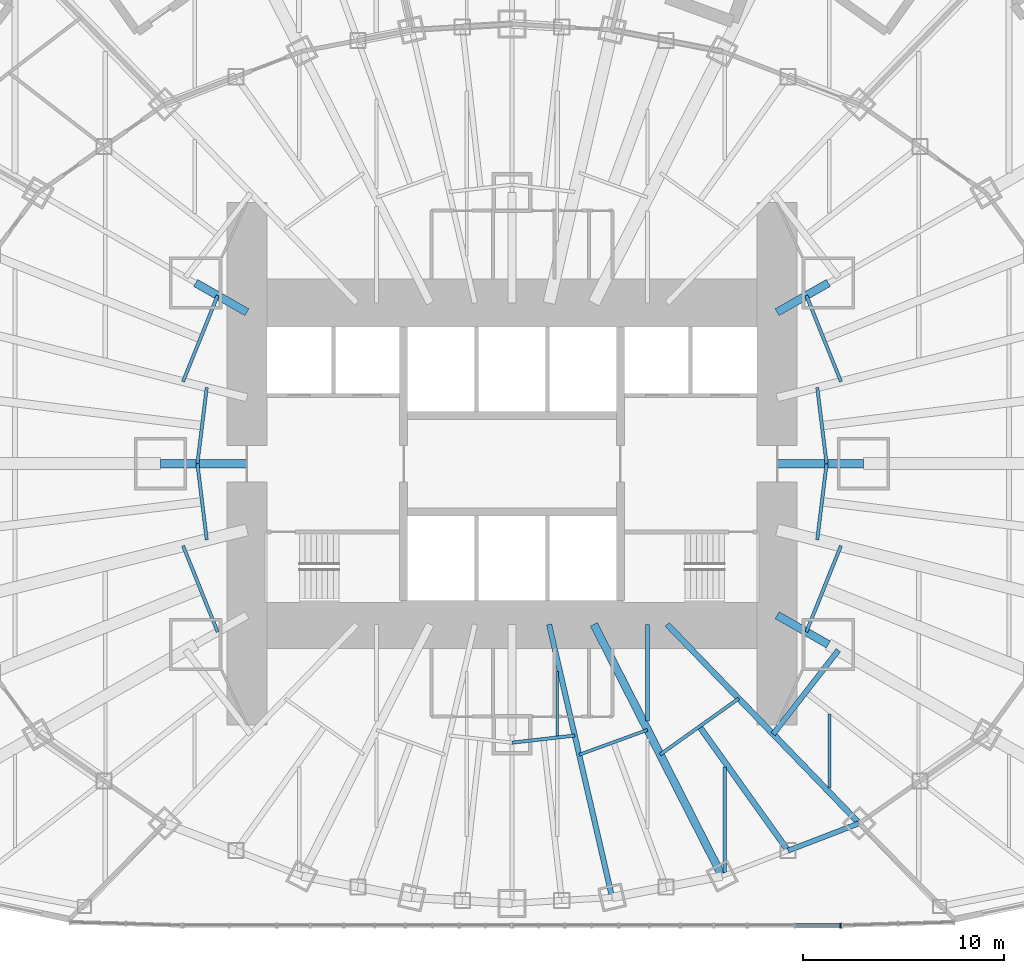
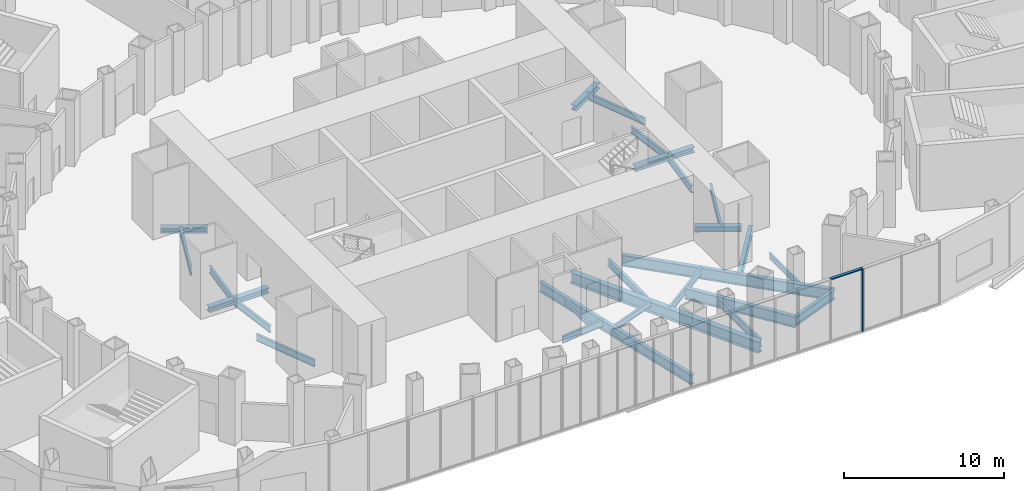
# One storey, part 5 of 73: 26 beams, 2 members, 1 element without a shape of its own.
"""IFC4 building model written with IfcOpenShell, lengths in metres."""

from ifc_helpers import new_model, si_unit, direction, frame, origin, origin_2d, place, context, subcontext, project, spatial, rectangle, i_section, extrude, material, material_profile, profile_set, type_object, element, aggregate, save


model = new_model("IFC4")

# Units and contexts
model_context = context("Model", 3, precision=1e-05, world=origin(), true_north=direction((0.0, 1.0)))
body_context = subcontext(model_context, "Body", "Model", "MODEL_VIEW")
ifc_project = project(units=[si_unit("LENGTHUNIT", "METRE"), si_unit("AREAUNIT", "SQUARE_METRE"), si_unit("VOLUMEUNIT", "CUBIC_METRE"), si_unit("PLANEANGLEUNIT", "RADIAN"), si_unit("MASSUNIT", "GRAM", prefix="KILO")], contexts=[model_context])

# Site, building, storey
site_placement = place(None, origin())
site = spatial("IfcSite", under=ifc_project, at=site_placement, CompositionType="ELEMENT")
building_placement = place(site_placement, origin())
building = spatial("IfcBuilding", under=site, at=building_placement, Name="Lantaw Convention Tower", CompositionType="ELEMENT")
storey_placement = place(building_placement, frame((0.0, 0.0, 27.0)))
storey = spatial("IfcBuildingStorey", under=building, at=storey_placement, Name="L04", CompositionType="ELEMENT", Elevation=27.0)

# Beams
ifc_material_1 = material(Name="Steel ASTM A992", Category="steel")
ifc_material_profile_1 = material_profile(ifc_material_1, i_section(OverallWidth=0.256591796875, OverallDepth=0.693359375, WebThickness=0.014404296875, FlangeThickness=0.023681640625, FilletRadius=0.01513671875, at=origin_2d()), Name="W27X114")
ifc_profile_set_1 = profile_set([ifc_material_profile_1], Name="Steel ASTM A992")
beam_type_1 = type_object("IfcBeamType", Name="Beam E W27X114", PredefinedType="SPANDREL", material=ifc_profile_set_1)
beam_1_placement = place(storey_placement, frame((13.745361328125, -19.270263671875, -0.546630859375), z_axis=(0.933224646415, 0.359293416754, 0.0), x_axis=(-0.359293416754, 0.933224646415, 0.0)))
element("IfcBeam", 1, at=beam_1_placement, inside=storey, type_object=beam_type_1, Name="Edge beam 21", PredefinedType="SPANDREL", context=body_context, shape_type="SweptSolid", body=[
    extrude(i_section(OverallWidth=0.256591796875, OverallDepth=0.693359375, WebThickness=0.014404296875, FlangeThickness=0.023681640625, FilletRadius=0.01513671875, at=origin_2d()), origin(), (0.0, 0.0, 1.0), 3.799072265625),
])
ifc_material_profile_2 = material_profile(ifc_material_1, i_section(OverallWidth=0.2666015625, OverallDepth=0.76953125, WebThickness=0.015625, FlangeThickness=0.025390625, FilletRadius=0.0126953125, at=origin_2d()), Name="W30X132")
ifc_profile_set_2 = profile_set([ifc_material_profile_2], Name="Steel ASTM A992")
beam_type_2 = type_object("IfcBeamType", Name="Beam G W30X132", PredefinedType="BEAM", material=ifc_profile_set_2)
beam_2_placement = place(storey_placement, frame((1.846923828125, -8.0, -0.584716796875), z_axis=(0.224952773175, -0.97436966796, 0.0), x_axis=(0.97436966796, 0.224952773175, 0.0)))
element("IfcBeam", 2, at=beam_2_placement, inside=storey, type_object=beam_type_2, Name="Floor girder on ray 20", PredefinedType="BEAM", context=body_context, shape_type="SweptSolid", body=[
    extrude(i_section(OverallWidth=0.2666015625, OverallDepth=0.76953125, WebThickness=0.015625, FlangeThickness=0.025390625, FilletRadius=0.0126953125, at=origin_2d()), origin(), (0.0, 0.0, 1.0), 13.955810546875),
])
ifc_material_profile_3 = material_profile(ifc_material_1, i_section(OverallWidth=0.2919921875, OverallDepth=0.845703125, WebThickness=0.015380859375, FlangeThickness=0.0244140625, FilletRadius=0.01513671875, at=origin_2d()), Name="W33X141")
ifc_profile_set_3 = profile_set([ifc_material_profile_3], Name="Steel ASTM A992")
beam_type_3 = type_object("IfcBeamType", Name="Beam G W33X141", PredefinedType="BEAM", material=ifc_profile_set_3)
beam_3_placement = place(storey_placement, frame((9.335693359375, -13.088134765625, -0.622802734375), z_axis=(0.580702805158, -0.814115625745, 0.0), x_axis=(0.814115625745, 0.580702805158, 0.0)))
element("IfcBeam", 3, at=beam_3_placement, inside=storey, type_object=beam_type_3, Name="Floor girder on bisector 21", PredefinedType="BEAM", context=body_context, shape_type="SweptSolid", body=[
    extrude(i_section(OverallWidth=0.2919921875, OverallDepth=0.845703125, WebThickness=0.015380859375, FlangeThickness=0.0244140625, FilletRadius=0.01513671875, at=origin_2d()), origin(), (0.0, 0.0, 1.0), 7.59375),
])
beam_4_placement = place(storey_placement, frame((7.7255859375, -8.0, -0.622802734375), z_axis=(0.694649884291, -0.719347995239, 0.0), x_axis=(0.719347995239, 0.694649884291, 0.0)))
element("IfcBeam", 4, at=beam_4_placement, inside=storey, type_object=beam_type_3, Name="Floor girder on ray 22", PredefinedType="BEAM", context=body_context, shape_type="SweptSolid", body=[
    extrude(i_section(OverallWidth=0.2919921875, OverallDepth=0.845703125, WebThickness=0.015380859375, FlangeThickness=0.0244140625, FilletRadius=0.01513671875, at=origin_2d()), origin(), (0.0, 0.0, 1.0), 13.769775390625),
])
ifc_material_profile_4 = material_profile(ifc_material_1, i_section(OverallWidth=0.398681640625, OverallDepth=0.85595703125, WebThickness=0.01806640625, FlangeThickness=0.029296875, FilletRadius=0.016357421875, at=origin_2d()), Name="W33X201")
ifc_profile_set_4 = profile_set([ifc_material_profile_4], Name="Steel ASTM A992")
beam_type_4 = type_object("IfcBeamType", Name="Beam G W33X201", PredefinedType="BEAM", material=ifc_profile_set_4)
beam_5_placement = place(storey_placement, frame((4.076171875, -8.0, -0.6279296875), z_axis=(0.453997016122, -0.891003203896, 0.0), x_axis=(0.891003203896, 0.453997016122, 0.0)))
element("IfcBeam", 5, at=beam_5_placement, inside=storey, type_object=beam_type_4, Name="Floor girder on ray 21", PredefinedType="BEAM", context=body_context, shape_type="SweptSolid", body=[
    extrude(i_section(OverallWidth=0.398681640625, OverallDepth=0.85595703125, WebThickness=0.01806640625, FlangeThickness=0.029296875, FilletRadius=0.016357421875, at=origin_2d()), origin(), (0.0, 0.0, 1.0), 14.067138671875),
])
ifc_material_profile_5 = material_profile(ifc_material_1, i_section(OverallWidth=0.40380859375, OverallDepth=0.406494140625, WebThickness=0.027099609375, FlangeThickness=0.043701171875, FilletRadius=0.01513671875, at=origin_2d()), Name="W14X233")
ifc_profile_set_5 = profile_set([ifc_material_profile_5], Name="Steel ASTM A992")
beam_type_5 = type_object("IfcBeamType", Name="Beam GM W14X233", PredefinedType="BEAM", material=ifc_profile_set_5)
beam_6_placement = place(storey_placement, frame((13.199951171875, 0.0, -0.4033203125), z_axis=(1.0, 0.0, 0.0), x_axis=(0.0, 1.0, 0.0)))
element("IfcBeam", 6, at=beam_6_placement, inside=storey, type_object=beam_type_5, Name="Core link beam on ray 1", PredefinedType="BEAM", context=body_context, shape_type="SweptSolid", body=[
    extrude(i_section(OverallWidth=0.40380859375, OverallDepth=0.406494140625, WebThickness=0.027099609375, FlangeThickness=0.043701171875, FilletRadius=0.01513671875, at=origin_2d()), origin(), (0.0, 0.0, 1.0), 4.300048828125),
])
for number, where, z_axis, x_axis, name in (
    (7, (13.199951171875, 7.54296875, -0.4033203125), (0.868263603466, 0.496103129295, 0.0), (-0.496103129295, 0.868263603466, 0.0), "Core link beam on ray 3"),
    (8, (-13.199951171875, 7.54296875, -0.4033203125), (-0.868263603466, 0.496103129295, 0.0), (-0.496103129295, -0.868263603466, 0.0), "Core link beam on ray 11"),
):
    element("IfcBeam", number, at=place(storey_placement, frame(where, z_axis=z_axis, x_axis=x_axis)), inside=storey, type_object=beam_type_5, Name=name, PredefinedType="BEAM", context=body_context, shape_type="SweptSolid", body=[
        extrude(i_section(OverallWidth=0.40380859375, OverallDepth=0.406494140625, WebThickness=0.027099609375, FlangeThickness=0.043701171875, FilletRadius=0.01513671875, at=origin_2d()), origin(), (0.0, 0.0, 1.0), 2.93701171875),
    ])
beam_7_placement = place(storey_placement, frame((-13.199951171875, 0.0, -0.4033203125), z_axis=(-1.0, 0.0, 0.0), x_axis=(0.0, -1.0, 0.0)))
element("IfcBeam", 9, at=beam_7_placement, inside=storey, type_object=beam_type_5, Name="Core link beam on ray 13", PredefinedType="BEAM", context=body_context, shape_type="SweptSolid", body=[
    extrude(i_section(OverallWidth=0.40380859375, OverallDepth=0.406494140625, WebThickness=0.027099609375, FlangeThickness=0.043701171875, FilletRadius=0.01513671875, at=origin_2d()), origin(), (0.0, 0.0, 1.0), 4.300048828125),
])
beam_8_placement = place(storey_placement, frame((13.199951171875, -7.54296875, -0.4033203125), z_axis=(0.868263603466, -0.496103129295, 0.0), x_axis=(0.496103129295, 0.868263603466, 0.0)))
element("IfcBeam", 10, at=beam_8_placement, inside=storey, type_object=beam_type_5, Name="Core link beam on ray 23", PredefinedType="BEAM", context=body_context, shape_type="SweptSolid", body=[
    extrude(i_section(OverallWidth=0.40380859375, OverallDepth=0.406494140625, WebThickness=0.027099609375, FlangeThickness=0.043701171875, FilletRadius=0.01513671875, at=origin_2d()), origin(), (0.0, 0.0, 1.0), 2.93701171875),
])
ifc_material_profile_6 = material_profile(ifc_material_1, i_section(OverallWidth=0.15234375, OverallDepth=0.449462890625, WebThickness=0.007568359375, FlangeThickness=0.0107421875, FilletRadius=0.01025390625, at=origin_2d()), Name="W18X35")
ifc_profile_set_6 = profile_set([ifc_material_profile_6], Name="Steel ASTM A992")
beam_type_6 = type_object("IfcBeamType", Name="Beam HC W18X35", PredefinedType="BEAM", material=ifc_profile_set_6)
beam_9_placement = place(storey_placement, frame((3.345947265625, -14.4931640625, -0.4248046875), z_axis=(0.939689171859, 0.342029619025, 0.0), x_axis=(-0.342029619025, 0.939689171859, 0.0)))
element("IfcBeam", 11, at=beam_9_placement, inside=storey, type_object=beam_type_6, Name="Collar beam on bisector 20", PredefinedType="BEAM", context=body_context, shape_type="SweptSolid", body=[
    extrude(i_section(OverallWidth=0.15234375, OverallDepth=0.449462890625, WebThickness=0.007568359375, FlangeThickness=0.0107421875, FilletRadius=0.01025390625, at=origin_2d()), origin(), (0.0, 0.0, 1.0), 3.62548828125),
])
ifc_material_profile_7 = material_profile(ifc_material_1, i_section(OverallWidth=0.1650390625, OverallDepth=0.52587890625, WebThickness=0.0087890625, FlangeThickness=0.011474609375, FilletRadius=0.0126953125, at=origin_2d()), Name="W21X44")
ifc_profile_set_7 = profile_set([ifc_material_profile_7], Name="Steel ASTM A992")
beam_type_7 = type_object("IfcBeamType", Name="Beam HC W21X44", PredefinedType="BEAM", material=ifc_profile_set_7)
beam_10_placement = place(storey_placement, frame((15.666015625, 0.0, -0.462890625), z_axis=(-0.121925556924, 0.992539247873, 0.0), x_axis=(-0.992539247873, -0.121925556924, 0.0)))
element("IfcBeam", 12, at=beam_10_placement, inside=storey, type_object=beam_type_7, Name="Collar beam on bisector 1", PredefinedType="BEAM", context=body_context, shape_type="SweptSolid", body=[
    extrude(i_section(OverallWidth=0.1650390625, OverallDepth=0.52587890625, WebThickness=0.0087890625, FlangeThickness=0.011474609375, FilletRadius=0.0126953125, at=origin_2d()), origin(), (0.0, 0.0, 1.0), 3.818603515625),
])
for number, where, z_axis, x_axis, name in (
    (13, (16.381591796875, 4.08447265625, -0.462890625), (-0.372591792929, 0.927995342576, 0.0), (-0.927995342576, -0.372591792929, 0.0), "Collar beam on bisector 2"),
    (14, (-14.658447265625, 8.376220703125, -0.462890625), (-0.372591792929, -0.927995342576, 0.0), (0.927995342576, -0.372591792929, 0.0), "Collar beam on bisector 11"),
):
    element("IfcBeam", number, at=place(storey_placement, frame(where, z_axis=z_axis, x_axis=x_axis)), inside=storey, type_object=beam_type_7, Name=name, PredefinedType="BEAM", context=body_context, shape_type="SweptSolid", body=[
        extrude(i_section(OverallWidth=0.1650390625, OverallDepth=0.52587890625, WebThickness=0.0087890625, FlangeThickness=0.011474609375, FilletRadius=0.0126953125, at=origin_2d()), origin(), (0.0, 0.0, 1.0), 4.624755859375),
    ])
for number, where, z_axis, x_axis, name in (
    (15, (-15.200439453125, 3.7900390625, -0.462890625), (-0.121925556924, -0.992539247873, 0.0), (0.992539247873, -0.121925556924, 0.0), "Collar beam on bisector 12"),
    (16, (-15.666015625, 0.0, -0.462890625), (0.121925556924, -0.992539247873, 0.0), (0.992539247873, 0.121925556924, 0.0), "Collar beam on bisector 13"),
):
    element("IfcBeam", number, at=place(storey_placement, frame(where, z_axis=z_axis, x_axis=x_axis)), inside=storey, type_object=beam_type_7, Name=name, PredefinedType="BEAM", context=body_context, shape_type="SweptSolid", body=[
        extrude(i_section(OverallWidth=0.1650390625, OverallDepth=0.52587890625, WebThickness=0.0087890625, FlangeThickness=0.011474609375, FilletRadius=0.0126953125, at=origin_2d()), origin(), (0.0, 0.0, 1.0), 3.818603515625),
    ])
beam_11_placement = place(storey_placement, frame((-16.381591796875, -4.08447265625, -0.462890625), z_axis=(0.372591792929, -0.927995342576, 0.0), x_axis=(0.927995342576, 0.372591792929, 0.0)))
element("IfcBeam", 17, at=beam_11_placement, inside=storey, type_object=beam_type_7, Name="Collar beam on bisector 14", PredefinedType="BEAM", context=body_context, shape_type="SweptSolid", body=[
    extrude(i_section(OverallWidth=0.1650390625, OverallDepth=0.52587890625, WebThickness=0.0087890625, FlangeThickness=0.011474609375, FilletRadius=0.0126953125, at=origin_2d()), origin(), (0.0, 0.0, 1.0), 4.624755859375),
])
beam_12_placement = place(storey_placement, frame((7.379638671875, -14.4833984375, -0.462890625), z_axis=(0.814110909588, 0.580709416912, 0.0), x_axis=(-0.580709416912, 0.814110909588, 0.0)))
element("IfcBeam", 18, at=beam_12_placement, inside=storey, type_object=beam_type_7, Name="Collar beam on bisector 21", PredefinedType="BEAM", context=body_context, shape_type="SweptSolid", body=[
    extrude(i_section(OverallWidth=0.1650390625, OverallDepth=0.52587890625, WebThickness=0.0087890625, FlangeThickness=0.011474609375, FilletRadius=0.0126953125, at=origin_2d()), origin(), (0.0, 0.0, 1.0), 4.805419921875),
])
beam_13_placement = place(storey_placement, frame((14.658447265625, -8.376220703125, -0.462890625), z_axis=(0.372591792929, 0.927995342576, 0.0), x_axis=(-0.927995342576, 0.372591792929, 0.0)))
element("IfcBeam", 19, at=beam_13_placement, inside=storey, type_object=beam_type_7, Name="Collar beam on bisector 23", PredefinedType="BEAM", context=body_context, shape_type="SweptSolid", body=[
    extrude(i_section(OverallWidth=0.1650390625, OverallDepth=0.52587890625, WebThickness=0.0087890625, FlangeThickness=0.011474609375, FilletRadius=0.0126953125, at=origin_2d()), origin(), (0.0, 0.0, 1.0), 4.624755859375),
])
beam_14_placement = place(storey_placement, frame((15.200439453125, -3.7900390625, -0.462890625), z_axis=(0.121925556924, 0.992539247873, 0.0), x_axis=(-0.992539247873, 0.121925556924, 0.0)))
element("IfcBeam", 20, at=beam_14_placement, inside=storey, type_object=beam_type_7, Name="Collar beam on bisector 24", PredefinedType="BEAM", context=body_context, shape_type="SweptSolid", body=[
    extrude(i_section(OverallWidth=0.1650390625, OverallDepth=0.52587890625, WebThickness=0.0087890625, FlangeThickness=0.011474609375, FilletRadius=0.0126953125, at=origin_2d()), origin(), (0.0, 0.0, 1.0), 3.818603515625),
])
ifc_material_profile_8 = material_profile(ifc_material_1, i_section(OverallWidth=0.165771484375, OverallDepth=0.5283203125, WebThickness=0.009765625, FlangeThickness=0.013671875, FilletRadius=0.012939453125, at=origin_2d()), Name="W21X50")
ifc_profile_set_8 = profile_set([ifc_material_profile_8], Name="Steel ASTM A992")
beam_type_8 = type_object("IfcBeamType", Name="Beam HC W21X50", PredefinedType="BEAM", material=ifc_profile_set_8)
beam_15_placement = place(storey_placement, frame((0.0, -13.89111328125, -0.464111328125), z_axis=(0.99356540907, 0.113259780595, 0.0), x_axis=(-0.113259780595, 0.99356540907, 0.0)))
element("IfcBeam", 21, at=beam_15_placement, inside=storey, type_object=beam_type_8, Name="Collar beam on bisector 19", PredefinedType="BEAM", context=body_context, shape_type="SweptSolid", body=[
    extrude(i_section(OverallWidth=0.165771484375, OverallDepth=0.5283203125, WebThickness=0.009765625, FlangeThickness=0.013671875, FilletRadius=0.012939453125, at=origin_2d()), origin(), (0.0, 0.0, 1.0), 3.14501953125),
])
ifc_material_profile_9 = material_profile(ifc_material_1, i_section(OverallWidth=0.2666015625, OverallDepth=0.76953125, WebThickness=0.015625, FlangeThickness=0.025390625, FilletRadius=0.0126953125, at=origin_2d()), Name="W30X132")
ifc_profile_set_9 = profile_set([ifc_material_profile_9], Name="Steel ASTM A992")
beam_type_9 = type_object("IfcBeamType", Name="Beam HC W30X132", PredefinedType="BEAM", material=ifc_profile_set_9)
beam_16_placement = place(storey_placement, frame((13.003662109375, -13.465576171875, -0.584716796875), z_axis=(0.613886325717, 0.789394438223, 0.0), x_axis=(-0.789394438223, 0.613886325717, 0.0)))
element("IfcBeam", 22, at=beam_16_placement, inside=storey, type_object=beam_type_9, Name="Collar beam on bisector 22", PredefinedType="BEAM", context=body_context, shape_type="SweptSolid", body=[
    extrude(i_section(OverallWidth=0.2666015625, OverallDepth=0.76953125, WebThickness=0.015625, FlangeThickness=0.025390625, FilletRadius=0.0126953125, at=origin_2d()), origin(), (0.0, 0.0, 1.0), 5.29296875),
])
ifc_material_profile_10 = material_profile(ifc_material_1, i_section(OverallWidth=0.140380859375, OverallDepth=0.40380859375, WebThickness=0.007080078125, FlangeThickness=0.01123046875, FilletRadius=0.01025390625, at=origin_2d()), Name="W16X31")
ifc_profile_set_10 = profile_set([ifc_material_profile_10], Name="Steel ASTM A992")
beam_type_10 = type_object("IfcBeamType", Name="Beam J W16X31", PredefinedType="JOIST", material=ifc_profile_set_10)
beam_17_placement = place(storey_placement, frame((2.25, -13.55126953125, -0.40185546875), z_axis=(0.0, 1.0, 0.0), x_axis=(-1.0, 0.0, 0.0)))
element("IfcBeam", 23, at=beam_17_placement, inside=storey, type_object=beam_type_10, Name="Floor joist", PredefinedType="JOIST", context=body_context, shape_type="SweptSolid", body=[
    extrude(i_section(OverallWidth=0.140380859375, OverallDepth=0.40380859375, WebThickness=0.007080078125, FlangeThickness=0.01123046875, FilletRadius=0.01025390625, at=origin_2d()), origin(), (0.0, 0.0, 1.0), 3.212646484375),
])
ifc_material_profile_11 = material_profile(ifc_material_1, i_section(OverallWidth=0.15234375, OverallDepth=0.449462890625, WebThickness=0.007568359375, FlangeThickness=0.0107421875, FilletRadius=0.01025390625, at=origin_2d()), Name="W18X35")
ifc_profile_set_11 = profile_set([ifc_material_profile_11], Name="Steel ASTM A992")
beam_type_11 = type_object("IfcBeamType", Name="Beam J W18X35", PredefinedType="JOIST", material=ifc_profile_set_11)
beam_18_placement = place(storey_placement, frame((15.800048828125, -16.151123046875, -0.4248046875), z_axis=(0.0, 1.0, 0.0), x_axis=(-1.0, 0.0, 0.0)))
element("IfcBeam", 24, at=beam_18_placement, inside=storey, type_object=beam_type_11, Name="Floor joist", PredefinedType="JOIST", context=body_context, shape_type="SweptSolid", body=[
    extrude(i_section(OverallWidth=0.15234375, OverallDepth=0.449462890625, WebThickness=0.007568359375, FlangeThickness=0.0107421875, FilletRadius=0.01025390625, at=origin_2d()), origin(), (0.0, 0.0, 1.0), 3.6943359375),
])
ifc_material_profile_12 = material_profile(ifc_material_1, i_section(OverallWidth=0.2099609375, OverallDepth=0.535888671875, WebThickness=0.010986328125, FlangeThickness=0.017333984375, FilletRadius=0.012939453125, at=origin_2d()), Name="W21X68")
ifc_profile_set_12 = profile_set([ifc_material_profile_12], Name="Steel ASTM A992")
beam_type_12 = type_object("IfcBeamType", Name="Beam J W21X68", PredefinedType="JOIST", material=ifc_profile_set_12)
beam_19_placement = place(storey_placement, frame((6.75, -12.808349609375, -0.468017578125), z_axis=(0.0, 1.0, 0.0), x_axis=(-1.0, 0.0, 0.0)))
element("IfcBeam", 25, at=beam_19_placement, inside=storey, type_object=beam_type_12, Name="Floor joist", PredefinedType="JOIST", context=body_context, shape_type="SweptSolid", body=[
    extrude(i_section(OverallWidth=0.2099609375, OverallDepth=0.535888671875, WebThickness=0.010986328125, FlangeThickness=0.017333984375, FilletRadius=0.012939453125, at=origin_2d()), origin(), (0.0, 0.0, 1.0), 4.808349609375),
])
ifc_material_profile_13 = material_profile(ifc_material_1, i_section(OverallWidth=0.177978515625, OverallDepth=0.599365234375, WebThickness=0.010009765625, FlangeThickness=0.012939453125, FilletRadius=0.012939453125, at=origin_2d()), Name="W24X55")
ifc_profile_set_13 = profile_set([ifc_material_profile_13], Name="Steel ASTM A992")
beam_type_13 = type_object("IfcBeamType", Name="Beam J W24X55", PredefinedType="JOIST", material=ifc_profile_set_13)
beam_20_placement = place(storey_placement, frame((10.60009765625, -20.358154296875, -0.499755859375), z_axis=(0.0, 1.0, 0.0), x_axis=(-1.0, 0.0, 0.0)))
element("IfcBeam", 26, at=beam_20_placement, inside=storey, type_object=beam_type_13, Name="Floor joist", PredefinedType="JOIST", context=body_context, shape_type="SweptSolid", body=[
    extrude(i_section(OverallWidth=0.177978515625, OverallDepth=0.599365234375, WebThickness=0.010009765625, FlangeThickness=0.012939453125, FilletRadius=0.012939453125, at=origin_2d()), origin(), (0.0, 0.0, 1.0), 5.24609375),
])

# Curtain wall, members
ifc_material_2 = material(Name="Aluminium framed curtain wall", Category="aluminium")
curtain_wall_type = type_object("IfcCurtainWallType", Name="Podium storefront curtain wall, pale aluminium", PredefinedType="USERDEFINED", material=ifc_material_2)
curtain_wall_placement = place(storey_placement, origin())
curtain_wall = element("IfcCurtainWall", 27, at=curtain_wall_placement, inside=storey, type_object=curtain_wall_type, Name="Podium storefront curtain wall, pale aluminium L04", ObjectType="STOREFRONT", PredefinedType="USERDEFINED")
ifc_material_3 = material(Name="Aluminium 6063-T6", Category="aluminium")
ifc_material_profile_14 = material_profile(ifc_material_3, rectangle(XDim=0.25, YDim=0.080078125, at=origin_2d()), Name="CW-P mullion 80x250")
ifc_profile_set_14 = profile_set([ifc_material_profile_14], Name="Aluminium 6063-T6")
member_type_1 = type_object("IfcMemberType", Name="CW-P mullion 80x250", PredefinedType="MULLION", material=ifc_profile_set_14)
member_1_placement = place(storey_placement, frame((16.36572265625, -23.0, 0.0), z_axis=(0.0, 0.0, 1.0), x_axis=(0.0, 1.0, 0.0)))
member_1 = element("IfcMember", 28, at=member_1_placement, type_object=member_type_1, Name="CW-P mullion 3", PredefinedType="MULLION", context=body_context, shape_type="SweptSolid", body=[
    extrude(rectangle(XDim=0.25, YDim=0.080078125, at=origin_2d()), origin(), (0.0, 0.0, 1.0), 4.800048828125),
])
ifc_material_profile_15 = material_profile(ifc_material_3, rectangle(XDim=0.199951171875, YDim=0.080078125, at=origin_2d()), Name="CW-P transom 80x200")
ifc_profile_set_15 = profile_set([ifc_material_profile_15], Name="Aluminium 6063-T6")
member_type_2 = type_object("IfcMemberType", Name="CW-P transom 80x200", PredefinedType="USERDEFINED", material=ifc_profile_set_15)
member_2_placement = place(storey_placement, frame((14.102294921875, -23.0, 4.760009765625), z_axis=(1.0, 0.0, 0.0), x_axis=(0.0, 1.0, 0.0)))
member_2 = element("IfcMember", 29, at=member_2_placement, type_object=member_type_2, Name="CW-P transom 2.2", ObjectType="TRANSOM", PredefinedType="USERDEFINED", context=body_context, shape_type="SweptSolid", body=[
    extrude(rectangle(XDim=0.199951171875, YDim=0.080078125, at=origin_2d()), origin(), (0.0, 0.0, 1.0), 2.223388671875),
])
aggregate(curtain_wall, [member_1, member_2])

save(model, "model.ifc")
